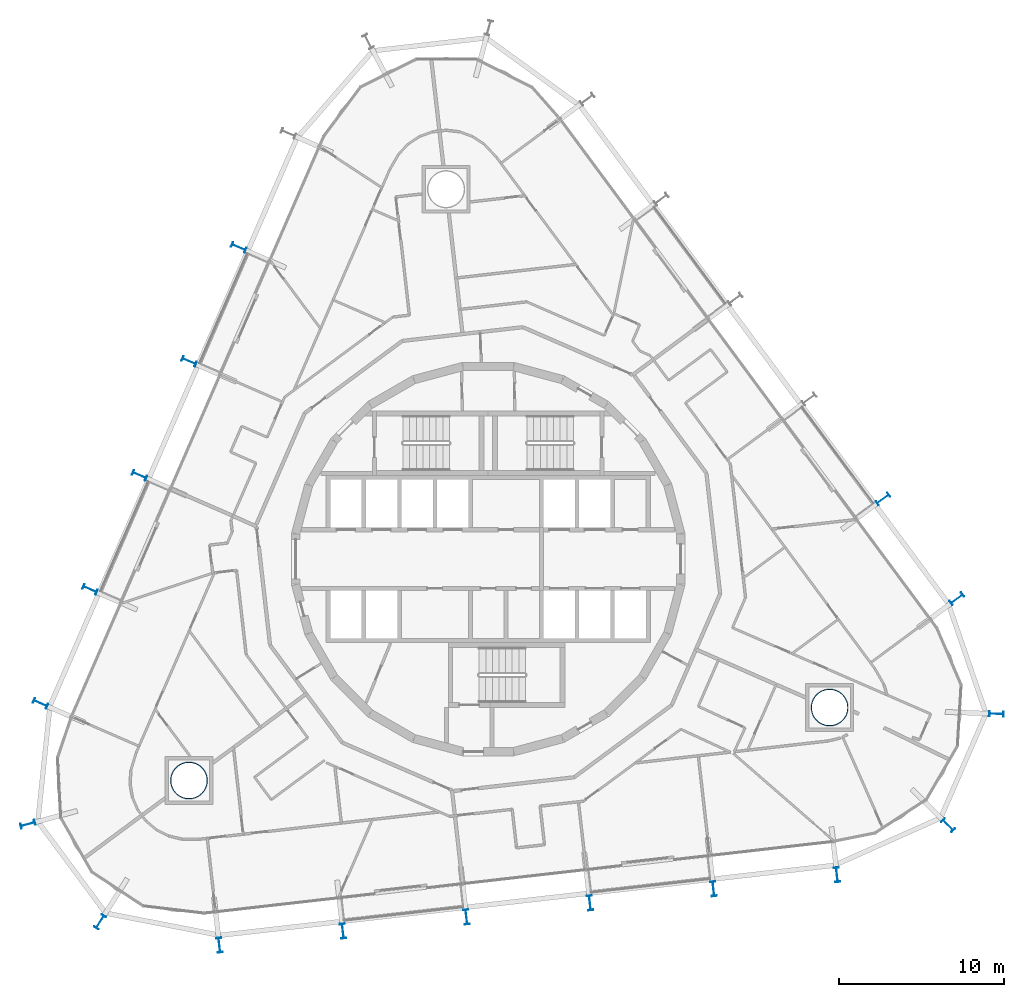
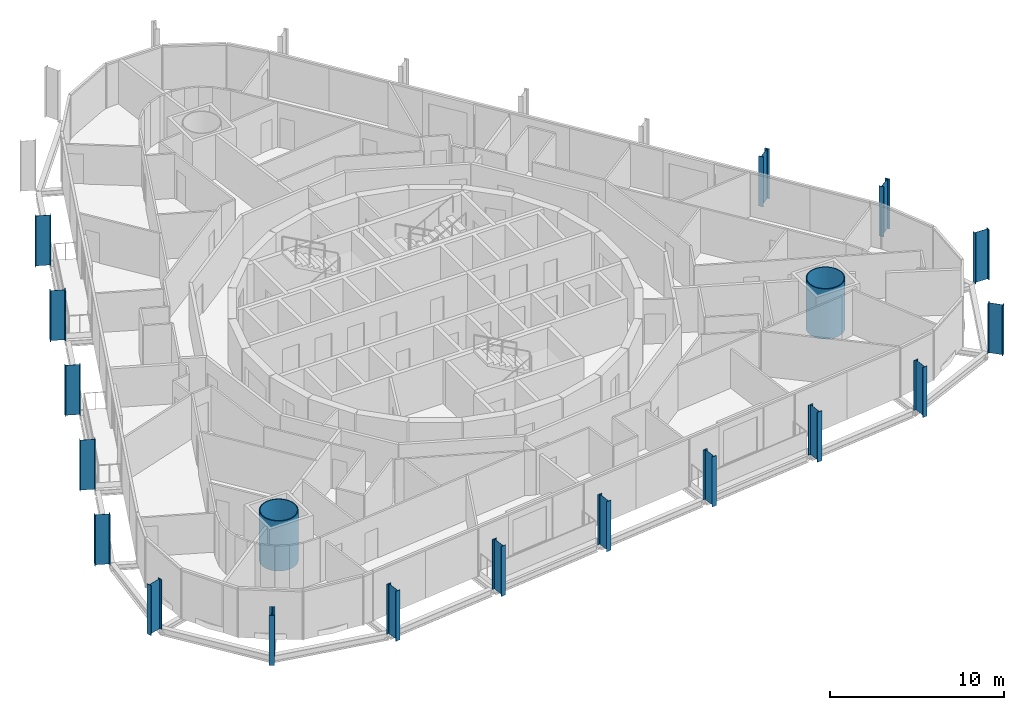
# One storey, part 1 of 23: 19 columns.
"""IFC4 building model written with IfcOpenShell, lengths in metres."""

import ifcopenshell
import ifcopenshell.guid

model = None  # the IFC model being written
_history = None  # IfcOwnerHistory: only IFC2X3 demands one
_inside = {}  # id of a spatial element -> (the spatial element, [elements in it])
_under = {}  # id of a project, library or spatial element -> (it, [spatial elements below it])
_declared = {}  # id of a project -> (the project, [libraries it declares])
_typed = {}  # id of a type object -> (the type object, [elements of that type])
_made_of = {}  # id of a material, layer set ... -> (it, [elements and type objects made of it])


def new_model(schema):
    """Start an empty IFC model of exactly this schema.

    Asked for "IFC4X3", IfcOpenShell would pick the latest addendum, in which some entities
    have other attributes; the version numbers below select the first issue.
    IFC2X3 requires an IfcOwnerHistory on every rooted entity: one is made here for all.
    """
    global model, _history
    if schema == "IFC4X3":
        model = ifcopenshell.file(schema_version=(4, 3, 0, 0))
    else:
        model = ifcopenshell.file(schema=schema)
    _inside.clear()
    _under.clear()
    _declared.clear()
    _typed.clear()
    _made_of.clear()
    _history = None
    if model.schema == "IFC2X3":
        org = make("IfcOrganization", Name="unknown")
        user = make(
            "IfcPersonAndOrganization",
            ThePerson=make("IfcPerson", FamilyName="unknown"),
            TheOrganization=org,
        )
        app = make(
            "IfcApplication",
            ApplicationDeveloper=org,
            Version="unknown",
            ApplicationFullName="unknown",
            ApplicationIdentifier="unknown",
        )
        _history = make(
            "IfcOwnerHistory",
            OwningUser=user,
            OwningApplication=app,
            ChangeAction="ADDED",
            CreationDate=0,
        )
    return model


def make(cls, **values):
    """One entity of the class cls with the attributes given. An attribute that is None is left unset."""
    return model.create_entity(
        cls, **{name: value for name, value in values.items() if value is not None}
    )


def rooted(cls, **values):
    """An entity with a GlobalId (a new one), such as an element, a storey or a relation."""
    return make(cls, GlobalId=ifcopenshell.guid.new(), OwnerHistory=_history, **values)


def si_unit(unit_type, name, prefix=None):
    """IfcSIUnit, for example si_unit("LENGTHUNIT", "METRE", prefix="MILLI")."""
    return make("IfcSIUnit", UnitType=unit_type, Prefix=prefix, Name=name)


def assignment(units):
    """IfcUnitAssignment: the units of a project."""
    return None if units is None else make("IfcUnitAssignment", Units=units)


def point(xyz):
    """IfcCartesianPoint."""
    return None if xyz is None else make("IfcCartesianPoint", Coordinates=xyz)


def direction(xyz):
    """IfcDirection."""
    return None if xyz is None else make("IfcDirection", DirectionRatios=xyz)


def frame(location, z_axis=None, x_axis=None):
    """IfcAxis2Placement3D, a coordinate frame: its origin and axes. An axis left out is left unset."""
    return make(
        "IfcAxis2Placement3D",
        Location=point(location),
        Axis=direction(z_axis),
        RefDirection=direction(x_axis),
    )


def frame_2d(location, x_axis=None):
    """IfcAxis2Placement2D, a coordinate frame in the plane: its origin and x axis."""
    return make(
        "IfcAxis2Placement2D", Location=point(location), RefDirection=direction(x_axis)
    )


def origin():
    """The frame at (0, 0, 0) with its axes left unset."""
    return frame((0.0, 0.0, 0.0))


def origin_2d():
    """The frame at (0, 0) in the plane with its x axis left unset."""
    return frame_2d((0.0, 0.0))


def place(relative_to, where):
    """IfcLocalPlacement: puts the frame where relative to a parent placement (None: the world)."""
    return make(
        "IfcLocalPlacement", PlacementRelTo=relative_to, RelativePlacement=where
    )


def context(
    kind, dimensions, precision=None, world=None, true_north=None, identifier=None
):
    """IfcGeometricRepresentationContext, for example the 3D "Model" context."""
    return make(
        "IfcGeometricRepresentationContext",
        ContextIdentifier=identifier,
        ContextType=kind,
        CoordinateSpaceDimension=dimensions,
        Precision=precision,
        WorldCoordinateSystem=world,
        TrueNorth=true_north,
    )


def subcontext(parent, identifier, kind, view, scale=None):
    """IfcGeometricRepresentationSubContext, for example "Body" below "Model"."""
    return make(
        "IfcGeometricRepresentationSubContext",
        ContextIdentifier=identifier,
        ContextType=kind,
        ParentContext=parent,
        TargetScale=scale,
        TargetView=view,
    )


def project(units=None, contexts=None):
    """IfcProject with its units and contexts."""
    return rooted(
        "IfcProject",
        Name="project",
        RepresentationContexts=contexts,
        UnitsInContext=assignment(units),
    )


def spatial(cls, under=None, at=None, **own):
    """A site, building, storey or space (cls), placed at a placement, below another one or the project."""
    s = rooted(cls, ObjectPlacement=at, **own)
    if under is not None:
        _under.setdefault(under.id(), (under, []))[1].append(s)
    return s


def profile(cls, at=None, kind="AREA", **sizes):
    """A parametric profile (cls). Its sizes go by their IFC names, for example OverallWidth=200.0."""
    return make(cls, ProfileType=kind, Position=at, **sizes)


def hollow_circle(**sizes):
    """IfcCircleHollowProfileDef."""
    return profile("IfcCircleHollowProfileDef", **sizes)


def i_section(**sizes):
    """IfcIShapeProfileDef."""
    return profile("IfcIShapeProfileDef", **sizes)


def extrude(swept, where, along, depth):
    """IfcExtrudedAreaSolid: the profile swept, set in the frame where, extruded along a direction by depth."""
    return make(
        "IfcExtrudedAreaSolid",
        SweptArea=swept,
        Position=where,
        ExtrudedDirection=direction(along),
        Depth=depth,
    )


def shape(context_of_items, identifier, shape_type, items):
    """IfcShapeRepresentation: the items that make up one representation, for example the "Body"."""
    return make(
        "IfcShapeRepresentation",
        ContextOfItems=context_of_items,
        RepresentationIdentifier=identifier,
        RepresentationType=shape_type,
        Items=items,
    )


def material(Name=None, Category=None):
    """IfcMaterial."""
    return make("IfcMaterial", Name=Name, Category=Category)


def material_profile(
    of_material, cross_section, Name=None, Category=None, Priority=None
):
    """IfcMaterialProfile: a cross section and its material."""
    return make(
        "IfcMaterialProfile",
        Name=Name,
        Material=of_material,
        Profile=cross_section,
        Priority=Priority,
        Category=Category,
    )


def profile_set(profiles, Name=None, composite=None):
    """IfcMaterialProfileSet."""
    return make(
        "IfcMaterialProfileSet",
        Name=Name,
        MaterialProfiles=profiles,
        CompositeProfile=composite,
    )


def made_of(thing, what):
    """Note that an element or type object is made of a material, layer set ...; save() writes the relation."""
    if what is not None:
        _made_of.setdefault(what.id(), (what, []))[1].append(thing)
    return thing


def type_object(cls, material=None, **own):
    """A type object (cls), such as IfcWallType, which elements share."""
    return made_of(rooted(cls, **own), material)


def element(
    cls,
    number,
    at=None,
    inside=None,
    cuts=None,
    type_object=None,
    material=None,
    context=None,
    identifier="Body",
    shape_type=None,
    held_by="IfcProductDefinitionShape",
    body=None,
    shapes=None,
    **own,
):
    """One element of the class cls, such as IfcWall. Its Tag is "e" and its number.

    at: its placement. inside: the storey or other place that contains it. cuts: it is an
    opening in that element (IfcRelVoidsElement). A single representation is given by context,
    identifier, shape_type and body (its items); several are given by shapes. held_by: the class
    of the entity that holds the representations. save() writes the other relations.
    """
    e = rooted(cls, Tag="e%d" % number, ObjectPlacement=at, **own)
    if body is not None:
        shapes = [shape(context, identifier, shape_type, body)]
    if shapes is not None:
        e.Representation = make(held_by, Representations=shapes)
    if inside is not None:
        _inside.setdefault(inside.id(), (inside, []))[1].append(e)
    if cuts is not None:
        rooted(
            "IfcRelVoidsElement", RelatingBuildingElement=cuts, RelatedOpeningElement=e
        )
    if type_object is not None:
        _typed.setdefault(type_object.id(), (type_object, []))[1].append(e)
    return made_of(e, material)


def aggregate(whole, parts):
    """IfcRelAggregates: a whole, such as a stair, and the parts it consists of."""
    return rooted("IfcRelAggregates", RelatingObject=whole, RelatedObjects=parts)


def save(model, path):
    """Write the relations noted so far, then the file.

    IfcRelAggregates (storeys below a building ...), IfcRelContainedInSpatialStructure (elements
    in a storey), IfcRelDefinesByType, IfcRelAssociatesMaterial and IfcRelDeclares: one each for
    every whole, place, type object, material and project.
    """
    for whole, parts in _under.values():
        aggregate(whole, parts)
    for where, things in _inside.values():
        rooted(
            "IfcRelContainedInSpatialStructure",
            RelatedElements=things,
            RelatingStructure=where,
        )
    for kind, things in _typed.values():
        rooted("IfcRelDefinesByType", RelatedObjects=things, RelatingType=kind)
    for what, things in _made_of.values():
        rooted("IfcRelAssociatesMaterial", RelatedObjects=things, RelatingMaterial=what)
    for by, libraries in _declared.values():
        rooted("IfcRelDeclares", RelatingContext=by, RelatedDefinitions=libraries)
    model.write(path)


model = new_model("IFC4")

# Units and contexts
model_context = context("Model", 3, precision=1e-05, world=origin(), true_north=direction((0.0, 1.0)))
body_context = subcontext(model_context, "Body", "Model", "MODEL_VIEW")
ifc_project = project(units=[si_unit("LENGTHUNIT", "METRE"), si_unit("AREAUNIT", "SQUARE_METRE"), si_unit("VOLUMEUNIT", "CUBIC_METRE"), si_unit("PLANEANGLEUNIT", "RADIAN"), si_unit("MASSUNIT", "GRAM", prefix="KILO")], contexts=[model_context])

# Site, building, storey
site_placement = place(None, origin())
site = spatial("IfcSite", under=ifc_project, at=site_placement, CompositionType="ELEMENT")
building_placement = place(site_placement, origin())
building = spatial("IfcBuilding", under=site, at=building_placement, Name="Spindle Arch Residences", CompositionType="ELEMENT")
storey_placement = place(building_placement, frame((0.0, 0.0, 83.699951171875)))
storey = spatial("IfcBuildingStorey", under=building, at=storey_placement, Name="L19", CompositionType="ELEMENT", Elevation=83.699951171875)

# Columns
ifc_material_1 = material(Name="Steel S460ML, intumescent coating R 240", Category="steel")
ifc_material_profile_1 = material_profile(ifc_material_1, i_section(OverallWidth=0.300048828125, OverallDepth=0.89990234375, WebThickness=0.0185546875, FlangeThickness=0.034912109375, FilletRadius=0.030029296875, at=origin_2d()), Name="HEB 900")
ifc_profile_set_1 = profile_set([ifc_material_profile_1], Name="Steel S460ML, intumescent coating R 240")
column_type_1 = type_object("IfcColumnType", Name="Exoskeleton post HEB 900", PredefinedType="COLUMN", material=ifc_profile_set_1)
for number, where, z_axis, x_axis, name in (
    (1, (6.153076171875, -20.794677734375, -0.3798828125), (0.0, 0.0, 1.0), (-0.993571881569, -0.113202986513, 0.0), "Exoskeleton post 1"),
    (2, (13.62353515625, -19.943603515625, -0.3798828125), (0.0, 0.0, 1.0), (-0.993571881569, -0.113202986513, 0.0), "Exoskeleton post 2"),
    (3, (21.093994140625, -19.09228515625, -0.3798828125), (0.0, 0.0, 1.0), (-0.993571881569, -0.113202986513, 0.0), "Exoskeleton post 3"),
    (4, (27.81103515625, -16.097900390625, -0.3798828125), (0.0, 0.0, 1.0), (-0.704963041271, -0.709244041527, 0.0), "Exoskeleton post 4"),
    (5, (30.740478515625, -9.36083984375, -0.3798828125), (0.0, 0.0, 1.0), (-0.037923985838, -0.9992806269, 0.0), "Exoskeleton post 5"),
    (6, (28.349365234375, -2.40625, -0.3798828125), (0.0, 0.0, 1.0), (0.594822857897, -0.803856807972, 0.0), "Exoskeleton post 6"),
    (7, (23.876953125, 3.637939453125, -0.3798828125), (0.0, 0.0, 1.0), (0.594822857897, -0.803856807972, 0.0), "Exoskeleton post 7"),
    (8, (-15.0888671875, 18.859130859375, -0.3798828125), (0.0, 0.0, 1.0), (0.398749038162, 0.917060087761, 0.0), "Exoskeleton post 15"),
    (9, (-18.087158203125, 11.9638671875, -0.3798828125), (0.0, 0.0, 1.0), (0.398749038162, 0.917060087761, 0.0), "Exoskeleton post 16"),
    (10, (-21.085205078125, 5.068603515625, -0.3798828125), (0.0, 0.0, 1.0), (0.398749038162, 0.917060087761, 0.0), "Exoskeleton post 17"),
    (11, (-24.083251953125, -1.826416015625, -0.3798828125), (0.0, 0.0, 1.0), (0.398749038162, 0.917060087761, 0.0), "Exoskeleton post 18"),
    (12, (-27.081298828125, -8.7216796875, -0.3798828125), (0.0, 0.0, 1.0), (0.398749038162, 0.917060087761, 0.0), "Exoskeleton post 19"),
    (13, (-27.8466796875, -16.035888671875, -0.3798828125), (0.0, 0.0, 1.0), (-0.261741969429, 0.965137887268, 0.0), "Exoskeleton post 20"),
    (14, (-23.47705078125, -21.94140625, -0.3798828125), (0.0, 0.0, 1.0), (-0.846440049151, 0.532484030928, 0.0), "Exoskeleton post 21"),
    (15, (-16.258544921875, -23.34814453125, -0.3798828125), (0.0, 0.0, 1.0), (-0.993571881569, -0.113202986513, 0.0), "Exoskeleton post 22"),
    (16, (-8.7880859375, -22.4970703125, -0.3798828125), (0.0, 0.0, 1.0), (-0.993571881569, -0.113202986513, 0.0), "Exoskeleton post 23"),
    (17, (-1.3173828125, -21.645751953125, -0.3798828125), (0.0, 0.0, 1.0), (-0.993571881569, -0.113202986513, 0.0), "Exoskeleton post 24"),
):
    element("IfcColumn", number, at=place(storey_placement, frame(where, z_axis=z_axis, x_axis=x_axis)), inside=storey, type_object=column_type_1, Name=name, PredefinedType="COLUMN", context=body_context, shape_type="SweptSolid", body=[
        extrude(i_section(OverallWidth=0.300048828125, OverallDepth=0.89990234375, WebThickness=0.0185546875, FlangeThickness=0.034912109375, FilletRadius=0.030029296875, at=origin_2d()), origin(), (0.0, 0.0, 1.0), 3.5),
    ])
ifc_material_2 = material(Name="Concrete C50/60 filled steel tube S460ML, intumescent coating R 240", Category="concrete")
ifc_material_profile_2 = material_profile(ifc_material_2, hollow_circle(Radius=1.125, WallThickness=0.054931640625, at=origin_2d()), Name="CFT D2250x55")
ifc_profile_set_2 = profile_set([ifc_material_profile_2], Name="Concrete C50/60 filled steel tube S460ML, intumescent coating R 240")
column_type_2 = type_object("IfcColumnType", Name="Mega-column CFT D2250x55", PredefinedType="COLUMN", material=ifc_profile_set_2)
for number, where, z_axis, x_axis, name in (
    (18, (20.647705078125, -8.977783203125, -0.3798828125), (0.0, 0.0, 1.0), (1.0, 0.0, 0.0), "Mega-column 1"),
    (19, (-18.098876953125, -13.392578125, -0.3798828125), (0.0, 0.0, 1.0), (1.0, 0.0, 0.0), "Mega-column 3"),
):
    element("IfcColumn", number, at=place(storey_placement, frame(where, z_axis=z_axis, x_axis=x_axis)), inside=storey, type_object=column_type_2, Name=name, PredefinedType="COLUMN", context=body_context, shape_type="SweptSolid", body=[
        extrude(hollow_circle(Radius=1.125, WallThickness=0.054931640625, at=origin_2d()), origin(), (0.0, 0.0, 1.0), 3.5),
    ])

save(model, "model.ifc")
